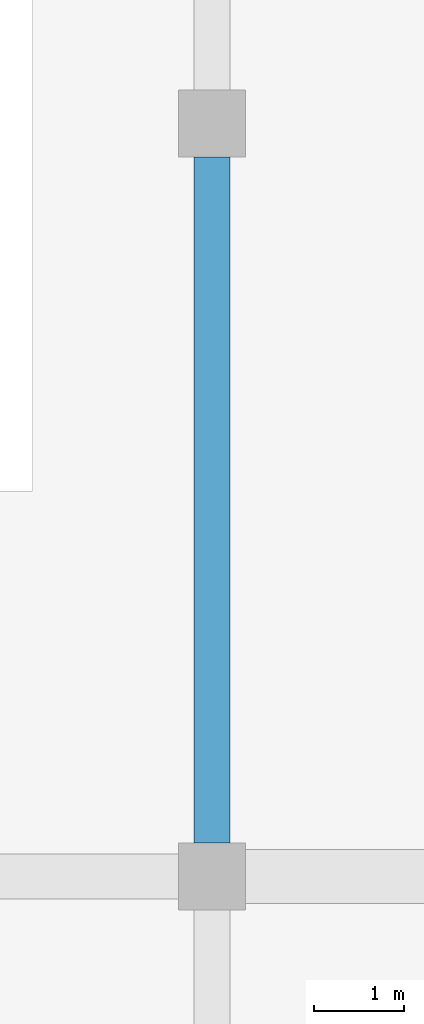
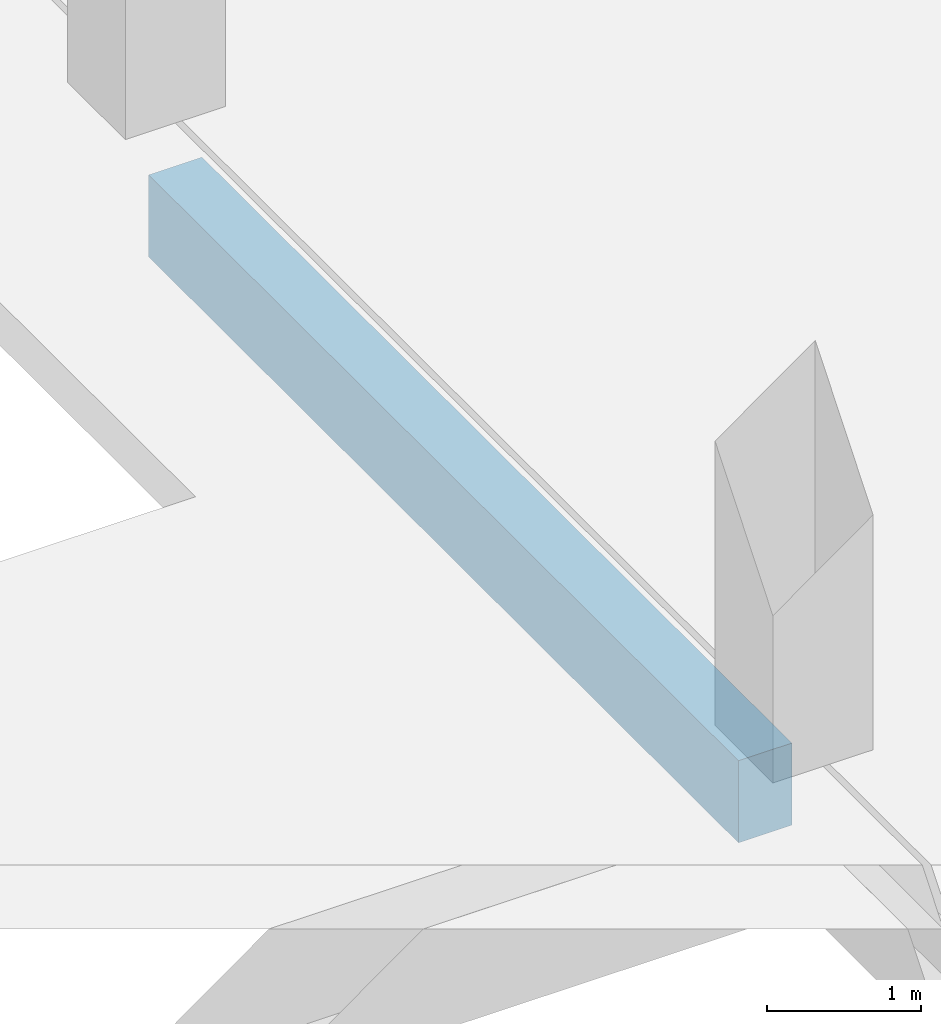
# One storey, part 17 of 130: 1 beam.
"""IFC4 building model written with IfcOpenShell, lengths in metres."""

from ifc_helpers import new_model, si_unit, direction, frame, origin, origin_2d, place, context, subcontext, project, spatial, rectangle, extrude, material, material_profile, profile_set, type_object, element, save


model = new_model("IFC4")

# Units and contexts
model_context = context("Model", 3, precision=1e-05, world=origin(), true_north=direction((0.0, 1.0)))
body_context = subcontext(model_context, "Body", "Model", "MODEL_VIEW")
ifc_project = project(units=[si_unit("LENGTHUNIT", "METRE"), si_unit("AREAUNIT", "SQUARE_METRE"), si_unit("VOLUMEUNIT", "CUBIC_METRE"), si_unit("PLANEANGLEUNIT", "RADIAN"), si_unit("MASSUNIT", "GRAM", prefix="KILO"), si_unit("THERMODYNAMICTEMPERATUREUNIT", "KELVIN")], contexts=[model_context])

# Site, building, storey
site_placement = place(None, origin())
site = spatial("IfcSite", under=ifc_project, at=site_placement, CompositionType="ELEMENT")
building_placement = place(site_placement, origin())
building = spatial("IfcBuilding", under=site, at=building_placement, Name="Nduvali Passage Aquatics Centre", CompositionType="ELEMENT")
storey_placement = place(building_placement, origin())
storey = spatial("IfcBuildingStorey", under=building, at=storey_placement, Name="L00", CompositionType="ELEMENT", Elevation=0.0)

# Beam
ifc_material = material(Name="Concrete C40/50", Category="concrete")
ifc_material_profile = material_profile(ifc_material, rectangle(XDim=0.39990234375, YDim=0.64990234375, at=origin_2d()), Name="RC 400x650")
ifc_profile_set = profile_set([ifc_material_profile], Name="Concrete C40/50")
beam_type = type_object("IfcBeamType", Name="STR-SPN-RC4065-EXT", PredefinedType="SPANDREL", material=ifc_profile_set)
beam_placement = place(storey_placement, frame((25.199951171875, 42.375, -0.6650390625), z_axis=(0.0, 1.0, 0.0), x_axis=(-1.0, 0.0, 0.0)))
element("IfcBeam", 1, at=beam_placement, inside=storey, type_object=beam_type, Name="L00 Primary Y-Girder SP1E-0125", PredefinedType="SPANDREL", context=body_context, shape_type="SweptSolid", body=[
    extrude(rectangle(XDim=0.39990234375, YDim=0.64990234375, at=origin_2d()), origin(), (0.0, 0.0, 1.0), 7.64990234375),
])

save(model, "model.ifc")
